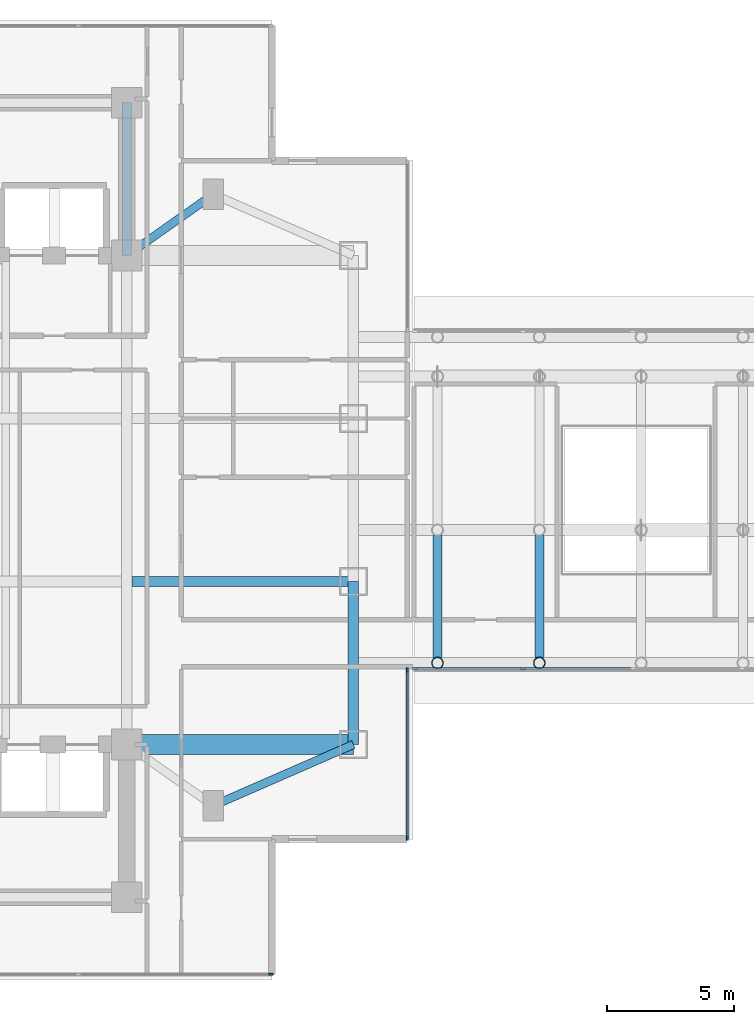
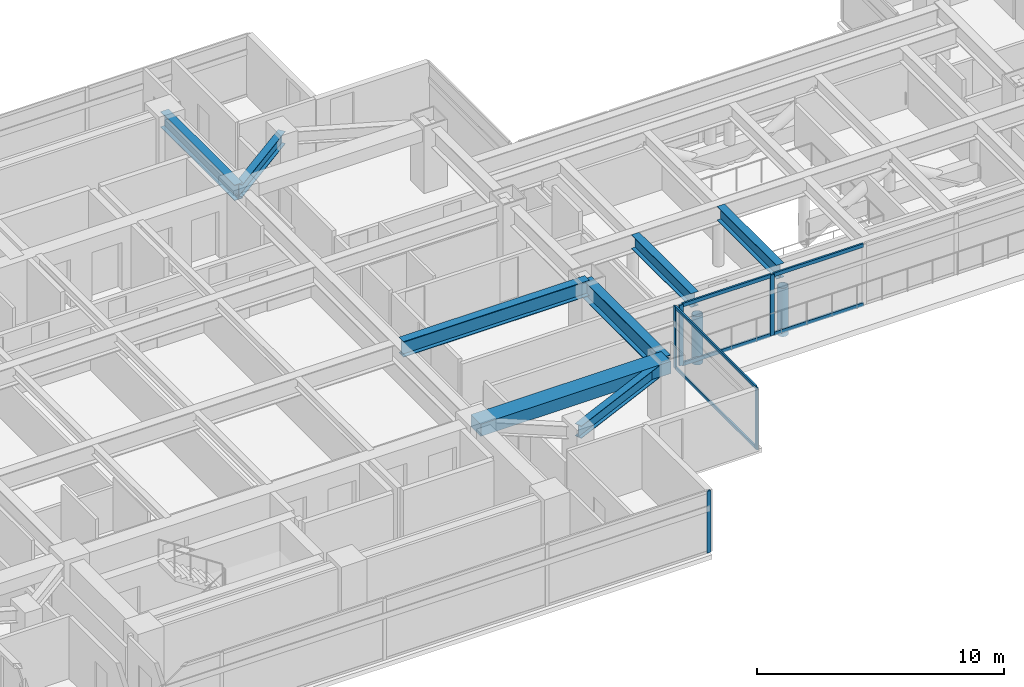
# One storey, part 4 of 28: 13 members, 8 beams, 3 elements without a shape of their own.
"""IFC4 building model written with IfcOpenShell, lengths in metres."""

from ifc_helpers import new_model, si_unit, direction, frame, origin, origin_2d, place, context, subcontext, project, spatial, rectangle, hollow_circle, i_section, extrude, material, material_profile, profile_set, type_object, element, aggregate, save


model = new_model("IFC4")

# Units and contexts
model_context = context("Model", 3, precision=1e-05, world=origin(), true_north=direction((0.0, 1.0)))
body_context = subcontext(model_context, "Body", "Model", "MODEL_VIEW")
ifc_project = project(units=[si_unit("LENGTHUNIT", "METRE"), si_unit("AREAUNIT", "SQUARE_METRE"), si_unit("VOLUMEUNIT", "CUBIC_METRE"), si_unit("PLANEANGLEUNIT", "RADIAN"), si_unit("MASSUNIT", "GRAM", prefix="KILO")], contexts=[model_context])

# Site, building, storey
site_placement = place(None, origin())
site = spatial("IfcSite", under=ifc_project, at=site_placement, CompositionType="ELEMENT")
building_placement = place(site_placement, origin())
building = spatial("IfcBuilding", under=site, at=building_placement, Name="Mirazonda Arch Towers", CompositionType="ELEMENT")
storey_placement = place(building_placement, frame((0.0, 0.0, 91.699951171875)))
storey = spatial("IfcBuildingStorey", under=building, at=storey_placement, Name="L25", CompositionType="ELEMENT", Elevation=91.699951171875)

# Beams
ifc_material_1 = material(Name="Steel ASTM A992 Grade 50", Category="steel")
ifc_material_profile_1 = material_profile(ifc_material_1, i_section(OverallWidth=0.41796875, OverallDepth=0.927001953125, WebThickness=0.019287109375, FlangeThickness=0.031982421875, at=origin_2d()), Name="W36X231")
ifc_profile_set_1 = profile_set([ifc_material_profile_1], Name="Steel ASTM A992 Grade 50")
beam_type_1 = type_object("IfcBeamType", Name="BM-EXT-W36X231", PredefinedType="USERDEFINED", material=ifc_profile_set_1)
beam_1_placement = place(storey_placement, frame((38.89990234375, 18.39990234375, 2.616455078125), z_axis=(0.0, 1.0, 0.0), x_axis=(-1.0, 0.0, 0.0)))
element("IfcBeam", 1, at=beam_1_placement, inside=storey, type_object=beam_type_1, Name="L25 Floor Beam BM-T1-L25-NS-E-18", ObjectType="GIRDER", PredefinedType="USERDEFINED", context=body_context, shape_type="SweptSolid", body=[
    extrude(i_section(OverallWidth=0.41796875, OverallDepth=0.927001953125, WebThickness=0.019287109375, FlangeThickness=0.031982421875, at=origin_2d()), origin(), (0.0, 0.0, 1.0), 6.400146484375),
])
ifc_material_profile_2 = material_profile(ifc_material_1, i_section(OverallWidth=0.324951171875, OverallDepth=0.615966796875, WebThickness=0.013916015625, FlangeThickness=0.021484375, at=origin_2d()), Name="W24X117")
ifc_profile_set_2 = profile_set([ifc_material_profile_2], Name="Steel ASTM A992 Grade 50")
beam_type_2 = type_object("IfcBeamType", Name="BM-INT-W24X117", PredefinedType="BEAM", material=ifc_profile_set_2)
beam_2_placement = place(storey_placement, frame((33.39990234375, 16.0, 2.77197265625), z_axis=(0.916545343703, 0.399930785183, 0.0), x_axis=(-0.399930785183, 0.916545343703, 0.0)))
element("IfcBeam", 2, at=beam_2_placement, inside=storey, type_object=beam_type_2, Name="L25 Floor Beam BM-T1-L25-PL-SE2", PredefinedType="BEAM", context=body_context, shape_type="SweptSolid", body=[
    extrude(i_section(OverallWidth=0.324951171875, OverallDepth=0.615966796875, WebThickness=0.013916015625, FlangeThickness=0.021484375, at=origin_2d()), origin(), (0.0, 0.0, 1.0), 6.000732421875),
])
beam_3_placement = place(storey_placement, frame((33.39990234375, 40.0, 2.77197265625), z_axis=(-0.816971114901, -0.576678591087, 0.0), x_axis=(0.576678591087, -0.816971114901, 0.0)))
element("IfcBeam", 3, at=beam_3_placement, inside=storey, type_object=beam_type_2, Name="L25 Floor Beam BM-T1-L25-PL-NE1", PredefinedType="BEAM", context=body_context, shape_type="SweptSolid", body=[
    extrude(i_section(OverallWidth=0.324951171875, OverallDepth=0.615966796875, WebThickness=0.013916015625, FlangeThickness=0.021484375, at=origin_2d()), origin(), (0.0, 0.0, 1.0), 4.16162109375),
])
ifc_material_profile_3 = material_profile(ifc_material_1, i_section(OverallWidth=0.35498046875, OverallDepth=0.696044921875, WebThickness=0.015380859375, FlangeThickness=0.02490234375, at=origin_2d()), Name="W27X146")
ifc_profile_set_3 = profile_set([ifc_material_profile_3], Name="Steel ASTM A992 Grade 50")
beam_type_3 = type_object("IfcBeamType", Name="BM-INT-W27X146", PredefinedType="BEAM", material=ifc_profile_set_3)
for number, where, z_axis, x_axis, name in (
    (4, (42.199951171875, 21.803955078125, 2.672119140625), (0.0, 1.0, 0.0), (-1.0, 0.0, 0.0), "L25 Floor Beam BM-BRG-L26-XG1A"),
    (5, (46.199951171875, 21.803955078125, 2.672119140625), (0.0, 1.0, 0.0), (-1.0, 0.0, 0.0), "L25 Floor Beam BM-BRG-L26-XG2A"),
):
    element("IfcBeam", number, at=place(storey_placement, frame(where, z_axis=z_axis, x_axis=x_axis)), inside=storey, type_object=beam_type_3, Name=name, PredefinedType="BEAM", context=body_context, shape_type="SweptSolid", body=[
        extrude(i_section(OverallWidth=0.35498046875, OverallDepth=0.696044921875, WebThickness=0.015380859375, FlangeThickness=0.02490234375, at=origin_2d()), origin(), (0.0, 0.0, 1.0), 4.81201171875),
    ])
ifc_material_profile_4 = material_profile(ifc_material_1, i_section(OverallWidth=0.381103515625, OverallDepth=0.77294921875, WebThickness=0.0166015625, FlangeThickness=0.027099609375, at=origin_2d()), Name="W30X173")
ifc_profile_set_4 = profile_set([ifc_material_profile_4], Name="Steel ASTM A992 Grade 50")
beam_type_4 = type_object("IfcBeamType", Name="BM-INT-W30X173", PredefinedType="USERDEFINED", material=ifc_profile_set_4)
beam_4_placement = place(storey_placement, frame((30.21142578125, 24.800048828125, 2.693603515625), z_axis=(1.0, 0.0, 0.0), x_axis=(0.0, 1.0, 0.0)))
element("IfcBeam", 6, at=beam_4_placement, inside=storey, type_object=beam_type_4, Name="L25 Floor Beam BM-T1-L25-GE2", ObjectType="GIRDER", PredefinedType="USERDEFINED", context=body_context, shape_type="SweptSolid", body=[
    extrude(i_section(OverallWidth=0.381103515625, OverallDepth=0.77294921875, WebThickness=0.0166015625, FlangeThickness=0.027099609375, at=origin_2d()), origin(), (0.0, 0.0, 1.0), 8.6884765625),
])
beam_5_placement = place(storey_placement, frame((30.0, 37.60009765625, 2.693603515625), z_axis=(0.0, 1.0, 0.0), x_axis=(-1.0, 0.0, 0.0)))
element("IfcBeam", 7, at=beam_5_placement, inside=storey, type_object=beam_type_4, Name="L25 Floor Beam BM-T1-L25-CNE", ObjectType="GIRDER", PredefinedType="USERDEFINED", context=body_context, shape_type="SweptSolid", body=[
    extrude(i_section(OverallWidth=0.381103515625, OverallDepth=0.77294921875, WebThickness=0.0166015625, FlangeThickness=0.027099609375, at=origin_2d()), origin(), (0.0, 0.0, 1.0), 6.0),
])
ifc_material_2 = material(Name="Concrete C60/75", Category="concrete")
ifc_material_profile_5 = material_profile(ifc_material_2, rectangle(XDim=0.800048828125, YDim=0.60009765625, at=origin_2d()), Name="RCCB800x600")
ifc_profile_set_5 = profile_set([ifc_material_profile_5], Name="Concrete C60/75")
beam_type_5 = type_object("IfcBeamType", Name="CB-INT-RCCB800x600", PredefinedType="SPANDREL", material=ifc_profile_set_5)
beam_6_placement = place(storey_placement, frame((30.0, 18.39990234375, 2.780029296875), z_axis=(1.0, 0.0, 0.0), x_axis=(0.0, 1.0, 0.0)))
element("IfcBeam", 8, at=beam_6_placement, inside=storey, type_object=beam_type_5, Name="L25 Floor Beam CBC-T1-L25-SE", PredefinedType="SPANDREL", context=body_context, shape_type="SweptSolid", body=[
    extrude(rectangle(XDim=0.800048828125, YDim=0.60009765625, at=origin_2d()), origin(), (0.0, 0.0, 1.0), 8.89990234375),
])

# Members
ifc_material_3 = material(Name="Steel ASTM A572 Grade 50", Category="steel")
ifc_material_profile_6 = material_profile(ifc_material_3, hollow_circle(Radius=0.228515625, WallThickness=0.02197265625, at=origin_2d()), Name="BELTSTRUT457x22CHS")
ifc_profile_set_6 = profile_set([ifc_material_profile_6], Name="Steel ASTM A572 Grade 50")
member_type_1 = type_object("IfcMemberType", Name="MBR-EXT-BELTSTRUT457x22CHS", PredefinedType="STRUT", material=ifc_profile_set_6)
for number, where, z_axis, x_axis, name in (
    (9, (42.199951171875, 21.60009765625, -0.2900390625), (0.0, 0.0, 1.0), (1.0, 0.0, 0.0), "L25 Skybridge S Vierendeel Post 1"),
    (10, (46.199951171875, 21.60009765625, -0.2900390625), (0.0, 0.0, 1.0), (1.0, 0.0, 0.0), "L25 Skybridge S Vierendeel Post 2"),
):
    element("IfcMember", number, at=place(storey_placement, frame(where, z_axis=z_axis, x_axis=x_axis)), inside=storey, type_object=member_type_1, Name=name, PredefinedType="STRUT", context=body_context, shape_type="SweptSolid", body=[
        extrude(hollow_circle(Radius=0.228515625, WallThickness=0.02197265625, at=origin_2d()), origin(), (0.0, 0.0, 1.0), 2.39306640625),
    ])

# Curtain wall, members
ifc_material_4 = material(Name="Anodised Aluminium and Low-E Glass", Category="aluminium")
curtain_wall_type_1 = type_object("IfcCurtainWallType", Name="CW-BRG-LINK", PredefinedType="NOTDEFINED", material=ifc_material_4)
curtain_wall_1_placement = place(storey_placement, origin())
curtain_wall_1 = element("IfcCurtainWall", 11, at=curtain_wall_1_placement, inside=storey, type_object=curtain_wall_type_1, Name="L25 Skybridge South Glazing CW-L25-BRG-S", PredefinedType="NOTDEFINED")
ifc_material_5 = material(Name="Anodised Aluminium Alloy", Category="aluminium")
ifc_material_profile_7 = material_profile(ifc_material_5, rectangle(XDim=0.0849609375, YDim=0.199951171875, at=origin_2d()), Name="ALU-MULL-85x200")
ifc_profile_set_7 = profile_set([ifc_material_profile_7], Name="Anodised Aluminium Alloy")
member_type_2 = type_object("IfcMemberType", Name="MULL-CW-BRG-LINK", PredefinedType="MULLION", material=ifc_profile_set_7)
member_1_placement = place(storey_placement, frame((45.56494140625, 21.3798828125, 0.0), z_axis=(0.0, 0.0, 1.0), x_axis=(0.0, -1.0, 0.0)))
member_1 = element("IfcMember", 12, at=member_1_placement, type_object=member_type_2, Name="CW-103 mullion 4", PredefinedType="MULLION", context=body_context, shape_type="SweptSolid", body=[
    extrude(rectangle(XDim=0.0849609375, YDim=0.199951171875, at=origin_2d()), origin(), (0.0, 0.0, 1.0), 3.0),
])
member_2_placement = place(storey_placement, frame((41.3125, 21.3798828125, 0.0), z_axis=(0.0, 0.0, 1.0), x_axis=(0.0, -1.0, 0.0)))
member_2 = element("IfcMember", 13, at=member_2_placement, type_object=member_type_2, Name="CW-103 mullion 5", PredefinedType="MULLION", context=body_context, shape_type="SweptSolid", body=[
    extrude(rectangle(XDim=0.0849609375, YDim=0.199951171875, at=origin_2d()), origin(), (0.0, 0.0, 1.0), 3.0),
])

# Curtain wall, member
curtain_wall_type_2 = type_object("IfcCurtainWallType", Name="CW-HTL-UNIT", PredefinedType="NOTDEFINED", material=ifc_material_4)
curtain_wall_2_placement = place(storey_placement, origin())
curtain_wall_2 = element("IfcCurtainWall", 14, at=curtain_wall_2_placement, inside=storey, type_object=curtain_wall_type_2, Name="L25 T1 S Facade CW-L25-T1-S", PredefinedType="NOTDEFINED")
ifc_material_profile_8 = material_profile(ifc_material_5, rectangle(XDim=0.074951171875, YDim=0.1650390625, at=origin_2d()), Name="ALU-MULL-75x165")
ifc_profile_set_8 = profile_set([ifc_material_profile_8], Name="Anodised Aluminium Alloy")
member_type_3 = type_object("IfcMemberType", Name="MULL-CW-HTL-UNIT", PredefinedType="MULLION", material=ifc_profile_set_8)
member_3_placement = place(storey_placement, frame((35.66748046875, 9.3720703125, 0.0), z_axis=(0.0, 0.0, 1.0), x_axis=(0.0, -1.0, 0.0)))
member_3 = element("IfcMember", 15, at=member_3_placement, type_object=member_type_3, Name="CW-112 mullion 1", PredefinedType="MULLION", context=body_context, shape_type="SweptSolid", body=[
    extrude(rectangle(XDim=0.074951171875, YDim=0.1650390625, at=origin_2d()), origin(), (0.0, 0.0, 1.0), 3.06005859375),
])
aggregate(curtain_wall_2, [member_3])

# Curtain wall, members
curtain_wall_3_placement = place(storey_placement, origin())
curtain_wall_3 = element("IfcCurtainWall", 16, at=curtain_wall_3_placement, inside=storey, type_object=curtain_wall_type_2, Name="L25 Curtain Wall CW-L25-T1-E1", PredefinedType="NOTDEFINED")
member_4_placement = place(storey_placement, frame((41.010009765625, 14.714599609375, 0.0), z_axis=(0.0, 0.0, 1.0), x_axis=(-1.0, 0.0, 0.0)))
member_4 = element("IfcMember", 17, at=member_4_placement, type_object=member_type_3, Name="CW-112 mullion 1", PredefinedType="MULLION", context=body_context, shape_type="SweptSolid", body=[
    extrude(rectangle(XDim=0.074951171875, YDim=0.1650390625, at=origin_2d()), origin(), (0.0, 0.0, 1.0), 3.06005859375),
])
member_5_placement = place(storey_placement, frame((41.010009765625, 21.322509765625, 0.0), z_axis=(0.0, 0.0, 1.0), x_axis=(-1.0, 0.0, 0.0)))
member_5 = element("IfcMember", 18, at=member_5_placement, type_object=member_type_3, Name="CW-112 mullion 2", PredefinedType="MULLION", context=body_context, shape_type="SweptSolid", body=[
    extrude(rectangle(XDim=0.074951171875, YDim=0.1650390625, at=origin_2d()), origin(), (0.0, 0.0, 1.0), 3.06005859375),
])

# Member
ifc_material_profile_9 = material_profile(ifc_material_5, rectangle(XDim=0.0849609375, YDim=0.179931640625, at=origin_2d()), Name="ALU-TRAN-85x180")
ifc_profile_set_9 = profile_set([ifc_material_profile_9], Name="Anodised Aluminium Alloy")
member_type_4 = type_object("IfcMemberType", Name="TRAN-CW-BRG-LINK", PredefinedType="USERDEFINED", material=ifc_profile_set_9)
member_6_placement = place(storey_placement, frame((49.817138671875, 21.3798828125, 0.04248046875), z_axis=(-1.0, 0.0, 0.0), x_axis=(0.0, -1.0, 0.0)))
member_6 = element("IfcMember", 19, at=member_6_placement, type_object=member_type_4, Name="CW-103 transom 3.1", ObjectType="TRANSOM", PredefinedType="USERDEFINED", context=body_context, shape_type="SweptSolid", body=[
    extrude(rectangle(XDim=0.0849609375, YDim=0.179931640625, at=origin_2d()), origin(), (0.0, 0.0, 1.0), 4.209716796875),
])

member_7_placement = place(storey_placement, frame((49.817138671875, 21.3798828125, 2.95751953125), z_axis=(-1.0, 0.0, 0.0), x_axis=(0.0, -1.0, 0.0)))
member_7 = element("IfcMember", 20, at=member_7_placement, type_object=member_type_4, Name="CW-103 transom 3.2", ObjectType="TRANSOM", PredefinedType="USERDEFINED", context=body_context, shape_type="SweptSolid", body=[
    extrude(rectangle(XDim=0.0849609375, YDim=0.179931640625, at=origin_2d()), origin(), (0.0, 0.0, 1.0), 4.209716796875),
])

member_8_placement = place(storey_placement, frame((45.5224609375, 21.3798828125, 0.04248046875), z_axis=(-1.0, 0.0, 0.0), x_axis=(0.0, -1.0, 0.0)))
member_8 = element("IfcMember", 21, at=member_8_placement, type_object=member_type_4, Name="CW-103 transom 4.1", ObjectType="TRANSOM", PredefinedType="USERDEFINED", context=body_context, shape_type="SweptSolid", body=[
    extrude(rectangle(XDim=0.0849609375, YDim=0.179931640625, at=origin_2d()), origin(), (0.0, 0.0, 1.0), 4.16748046875),
])

member_9_placement = place(storey_placement, frame((45.5224609375, 21.3798828125, 2.95751953125), z_axis=(-1.0, 0.0, 0.0), x_axis=(0.0, -1.0, 0.0)))
member_9 = element("IfcMember", 22, at=member_9_placement, type_object=member_type_4, Name="CW-103 transom 4.2", ObjectType="TRANSOM", PredefinedType="USERDEFINED", context=body_context, shape_type="SweptSolid", body=[
    extrude(rectangle(XDim=0.0849609375, YDim=0.179931640625, at=origin_2d()), origin(), (0.0, 0.0, 1.0), 4.16748046875),
])

aggregate(curtain_wall_1, [member_1, member_2, member_6, member_7, member_8, member_9])

ifc_material_profile_10 = material_profile(ifc_material_5, rectangle(XDim=0.074951171875, YDim=0.14501953125, at=origin_2d()), Name="ALU-TRAN-75x145")
ifc_profile_set_10 = profile_set([ifc_material_profile_10], Name="Anodised Aluminium Alloy")
member_type_5 = type_object("IfcMemberType", Name="TRAN-CW-HTL-UNIT", PredefinedType="USERDEFINED", material=ifc_profile_set_10)
member_10_placement = place(storey_placement, frame((41.010009765625, 14.751953125, 0.03759765625), z_axis=(0.0, 1.0, 0.0), x_axis=(-1.0, 0.0, 0.0)))
member_10 = element("IfcMember", 23, at=member_10_placement, type_object=member_type_5, Name="CW-112 transom 1.1", ObjectType="TRANSOM", PredefinedType="USERDEFINED", context=body_context, shape_type="SweptSolid", body=[
    extrude(rectangle(XDim=0.074951171875, YDim=0.14501953125, at=origin_2d()), origin(), (0.0, 0.0, 1.0), 6.532958984375),
])

member_11_placement = place(storey_placement, frame((41.010009765625, 14.751953125, 3.0224609375), z_axis=(0.0, 1.0, 0.0), x_axis=(-1.0, 0.0, 0.0)))
member_11 = element("IfcMember", 24, at=member_11_placement, type_object=member_type_5, Name="CW-112 transom 1.2", ObjectType="TRANSOM", PredefinedType="USERDEFINED", context=body_context, shape_type="SweptSolid", body=[
    extrude(rectangle(XDim=0.074951171875, YDim=0.14501953125, at=origin_2d()), origin(), (0.0, 0.0, 1.0), 6.532958984375),
])

aggregate(curtain_wall_3, [member_4, member_5, member_10, member_11])

save(model, "model.ifc")
